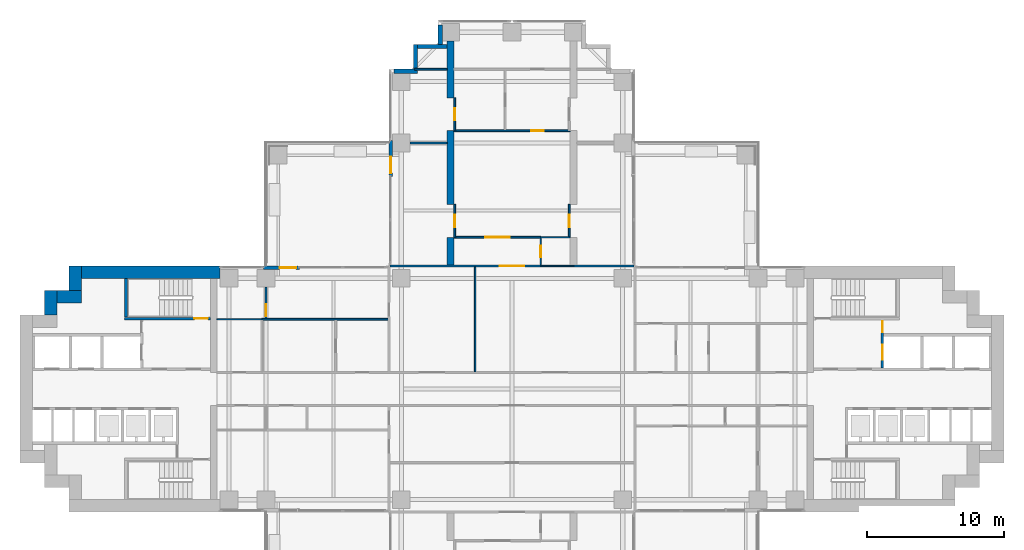
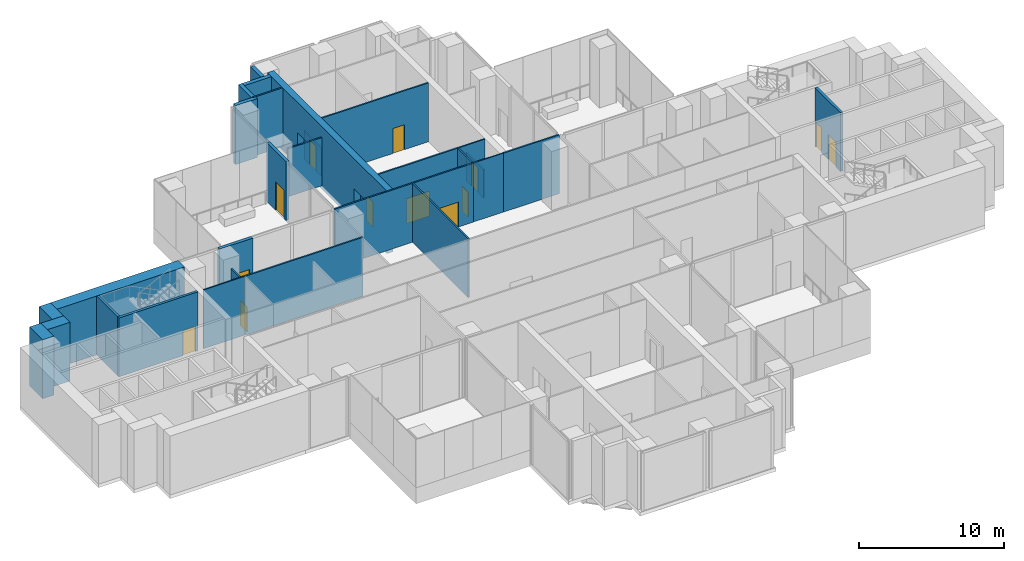
# One storey, part 10 of 17: 30 walls, 13 doors, 13 openings.
"""IFC4 building model written with IfcOpenShell, lengths in metres."""

from ifc_helpers import new_model, si_unit, direction, frame, frame_2d, origin, place, context, subcontext, project, spatial, polyline, rectangle, outline, extrude, material, layer, layer_set, material_profile, profile_set, type_object, element, fill, save


model = new_model("IFC4")

# Units and contexts
model_context = context("Model", 3, precision=1e-05, world=origin(), true_north=direction((0.0, 1.0)))
body_context = subcontext(model_context, "Body", "Model", "MODEL_VIEW")
ifc_project = project(units=[si_unit("LENGTHUNIT", "METRE"), si_unit("AREAUNIT", "SQUARE_METRE"), si_unit("VOLUMEUNIT", "CUBIC_METRE"), si_unit("PLANEANGLEUNIT", "RADIAN"), si_unit("MASSUNIT", "GRAM", prefix="KILO")], contexts=[model_context])

# Site, building, storey
site_placement = place(None, origin())
site = spatial("IfcSite", under=ifc_project, at=site_placement, CompositionType="ELEMENT")
building_placement = place(site_placement, origin())
building = spatial("IfcBuilding", under=site, at=building_placement, Name="Perihelion Cross Residences", CompositionType="ELEMENT")
storey_placement = place(building_placement, frame((0.0, 0.0, 92.5)))
storey = spatial("IfcBuildingStorey", under=building, at=storey_placement, Name="L21", CompositionType="ELEMENT", Elevation=92.5)

# Wall, opening, door
ifc_material_1 = material(Name="Concrete C30/37, bronze-clad", Category="concrete")
ifc_layer_1 = layer(ifc_material_1, 0.25)
ifc_layer_set_1 = layer_set([ifc_layer_1], Name="Bronze-clad pier wall 250")
wall_type_1 = type_object("IfcWallType", Name="Bronze-clad pier wall 250", PredefinedType="SOLIDWALL", material=ifc_layer_set_1)
wall_1_placement = place(storey_placement, frame((-8.875, 18.199951171875, 0.0), z_axis=(0.0, 0.0, 1.0), x_axis=(0.0, -1.0, 0.0)))
wall_1 = element("IfcWall", 1, at=wall_1_placement, inside=storey, type_object=wall_type_1, Name="Wall FW1 L21 north side west bay 2 pier", PredefinedType="SOLIDWALL", context=body_context, shape_type="SweptSolid", body=[
    extrude(rectangle(XDim=2.64990234375, YDim=0.25, at=frame_2d((1.324951171875, 0.0))), origin(), (0.0, 0.0, 1.0), 4.949951171875),
])
opening_1_placement = place(wall_1_placement, frame((1.199951171875, 0.0, 0.0)))
opening_1 = element("IfcOpeningElement", 2, at=opening_1_placement, cuts=wall_1, Name="Opening L21.E03", PredefinedType="OPENING", context=body_context, shape_type="SweptSolid", body=[
    extrude(rectangle(XDim=1.199951171875, YDim=2.39990234375, at=frame_2d((0.60009765625, 1.199951171875))), frame((0.0, 0.135009765625, 0.0), z_axis=(0.0, -1.0, 0.0), x_axis=(1.0, 0.0, 0.0)), (0.0, 0.0, 1.0), 0.27001953125),
])
ifc_material_2 = material(Name="Bronze anodised aluminium, glazed", Category="aluminium")
door_type_1 = type_object("IfcDoorType", Name="Balcony door 1200 x 2400", OperationType="NOTDEFINED", PredefinedType="DOOR", material=ifc_material_2)
door_1_placement = place(opening_1_placement, origin())
door_1 = element("IfcDoor", 3, at=door_1_placement, inside=storey, type_object=door_type_1, Name="Door L21.E03 north side west bay 2", OperationType="SINGLE_SWING_RIGHT", OverallHeight=2.39990234375, OverallWidth=1.199951171875, PredefinedType="DOOR", context=body_context, shape_type="SweptSolid", body=[
    extrude(rectangle(XDim=1.199951171875, YDim=2.39990234375, at=frame_2d((0.60009765625, 1.199951171875))), frame((0.0, 0.02490234375, 0.0), z_axis=(0.0, -1.0, 0.0), x_axis=(1.0, 0.0, 0.0)), (0.0, 0.0, 1.0), 0.050048828125),
])
fill(opening_1, door_1)

wall_2_placement = place(storey_placement, frame((-15.550048828125, 8.875, 0.0), z_axis=(0.0, 0.0, 1.0), x_axis=(-1.0, 0.0, 0.0)))
wall_2 = element("IfcWall", 4, at=wall_2_placement, inside=storey, type_object=wall_type_1, Name="Wall FW1 L21 west side north bay 1 pier", PredefinedType="SOLIDWALL", context=body_context, shape_type="SweptSolid", body=[
    extrude(rectangle(XDim=2.64990234375, YDim=0.25, at=frame_2d((1.324951171875, 0.0))), origin(), (0.0, 0.0, 1.0), 4.949951171875),
])
opening_2_placement = place(wall_2_placement, frame((0.25, 0.0, 0.0)))
opening_2 = element("IfcOpeningElement", 5, at=opening_2_placement, cuts=wall_2, Name="Opening L21.E04", PredefinedType="OPENING", context=body_context, shape_type="SweptSolid", body=[
    extrude(rectangle(XDim=1.199951171875, YDim=2.39990234375, at=frame_2d((0.60009765625, 1.199951171875))), frame((0.0, 0.135009765625, 0.0), z_axis=(0.0, -1.0, 0.0), x_axis=(1.0, 0.0, 0.0)), (0.0, 0.0, 1.0), 0.27001953125),
])
door_2_placement = place(opening_2_placement, origin())
door_2 = element("IfcDoor", 6, at=door_2_placement, inside=storey, type_object=door_type_1, Name="Door L21.E04 west side north bay 1", OperationType="SINGLE_SWING_LEFT", OverallHeight=2.39990234375, OverallWidth=1.199951171875, PredefinedType="DOOR", context=body_context, shape_type="SweptSolid", body=[
    extrude(rectangle(XDim=1.199951171875, YDim=2.39990234375, at=frame_2d((0.60009765625, 1.199951171875))), frame((0.0, 0.02490234375, 0.0), z_axis=(0.0, -1.0, 0.0), x_axis=(1.0, 0.0, 0.0)), (0.0, 0.0, 1.0), 0.050048828125),
])
fill(opening_2, door_2)

# Walls
ifc_material_3 = material(Name="Concrete C30/37, bronze-clad", Category="concrete")
ifc_layer_2 = layer(ifc_material_3, 0.300048828125)
ifc_layer_set_2 = layer_set([ifc_layer_2], Name="Bronze-clad serration wall 300")
wall_type_2 = type_object("IfcWallType", Name="Bronze-clad serration wall 300", PredefinedType="SOLIDWALL", material=ifc_layer_set_2)
wall_3_placement = place(storey_placement, frame((-5.25, 26.64990234375, 0.0), z_axis=(0.0, 0.0, 1.0), x_axis=(0.0, -1.0, 0.0)))
element("IfcWall", 7, at=wall_3_placement, inside=storey, type_object=wall_type_2, Name="Wall SR1 L21 north corner north-west 1", PredefinedType="SOLIDWALL", context=body_context, shape_type="SweptSolid", body=[
    extrude(rectangle(XDim=1.449951171875, YDim=0.300048828125, at=frame_2d((0.72509765625, 0.0))), origin(), (0.0, 0.0, 1.0), 4.949951171875),
])
wall_4_placement = place(storey_placement, frame((-4.75, 25.050048828125, 0.0), z_axis=(0.0, 0.0, 1.0), x_axis=(-1.0, 0.0, 0.0)))
element("IfcWall", 8, at=wall_4_placement, inside=storey, type_object=wall_type_2, Name="Wall SR1 L21 north corner north-west 2", PredefinedType="SOLIDWALL", context=body_context, shape_type="SweptSolid", body=[
    extrude(rectangle(XDim=2.14990234375, YDim=0.300048828125, at=frame_2d((1.074951171875, 0.0))), origin(), (0.0, 0.0, 1.0), 4.949951171875),
])
wall_5_placement = place(storey_placement, frame((-7.050048828125, 25.199951171875, 0.0), z_axis=(0.0, 0.0, 1.0), x_axis=(0.0, -1.0, 0.0)))
element("IfcWall", 9, at=wall_5_placement, inside=storey, type_object=wall_type_2, Name="Wall SR1 L21 north corner north-west 3", PredefinedType="SOLIDWALL", context=body_context, shape_type="SweptSolid", body=[
    extrude(rectangle(XDim=1.800048828125, YDim=0.300048828125, at=frame_2d((0.89990234375, 0.0))), origin(), (0.0, 0.0, 1.0), 4.949951171875),
])
wall_6_placement = place(storey_placement, frame((-6.89990234375, 23.25, 0.0), z_axis=(0.0, 0.0, 1.0), x_axis=(-1.0, 0.0, 0.0)))
element("IfcWall", 10, at=wall_6_placement, inside=storey, type_object=wall_type_2, Name="Wall SR1 L21 north corner north-west 4", PredefinedType="SOLIDWALL", context=body_context, shape_type="SweptSolid", body=[
    extrude(rectangle(XDim=1.75, YDim=0.300048828125, at=frame_2d((0.875, 0.0))), origin(), (0.0, 0.0, 1.0), 4.949951171875),
])
ifc_material_4 = material(Name="Concrete C60/75", Category="concrete")
ifc_layer_3 = layer(ifc_material_4, 0.89990234375)
ifc_layer_set_3 = layer_set([ifc_layer_3], Name="Core wall, outer 900")
wall_type_3 = type_object("IfcWallType", Name="Core wall, outer 900", PredefinedType="SHEAR", material=ifc_layer_set_3)
for number, where, z_axis, x_axis, name in (
    (11, (-33.75, 5.39990234375, 0.0), (0.0, 0.0, 1.0), (0.0, 1.0, 0.0), "West core core wall, outer"),
    (12, (-33.300048828125, 6.75, 0.0), (0.0, 0.0, 1.0), (1.0, 0.0, 0.0), "West core core wall, outer"),
    (13, (-31.949951171875, 7.199951171875, 0.0), (0.0, 0.0, 1.0), (0.0, 1.0, 0.0), "West core core wall, outer"),
):
    element("IfcWall", number, at=place(storey_placement, frame(where, z_axis=z_axis, x_axis=x_axis)), inside=storey, type_object=wall_type_3, Name=name, PredefinedType="SHEAR", context=body_context, shape_type="SweptSolid", body=[
        extrude(rectangle(XDim=1.800048828125, YDim=0.89990234375, at=frame_2d((0.89990234375, 0.0))), origin(), (0.0, 0.0, 1.0), 4.949951171875),
    ])
wall_7_placement = place(storey_placement, frame((-31.5, 8.550048828125, 0.0), z_axis=(0.0, 0.0, 1.0), x_axis=(1.0, 0.0, 0.0)))
element("IfcWall", 14, at=wall_7_placement, inside=storey, type_object=wall_type_3, Name="West core core wall, outer", PredefinedType="SHEAR", context=body_context, shape_type="SweptSolid", body=[
    extrude(rectangle(XDim=10.14990234375, YDim=0.89990234375, at=frame_2d((5.074951171875, 0.0))), origin(), (0.0, 0.0, 1.0), 4.949951171875),
])

# Wall, opening, door
ifc_material_5 = material(Name="Plasterboard partition")
ifc_layer_4 = layer(ifc_material_5, 0.1201171875)
ifc_layer_set_4 = layer_set([ifc_layer_4], Name="Infill panel 120")
wall_type_4 = type_object("IfcWallType", Name="Infill panel 120", PredefinedType="PARTITIONING", material=ifc_layer_set_4)
wall_8_placement = place(storey_placement, frame((4.18994140625, 11.10009765625, 0.0), z_axis=(0.0, 0.0, 1.0), x_axis=(0.0, 1.0, 0.0)))
wall_8 = element("IfcWall", 15, at=wall_8_placement, inside=storey, type_object=wall_type_4, Name="Partition L21 WI01", PredefinedType="PARTITIONING", context=body_context, shape_type="SweptSolid", body=[
    extrude(rectangle(XDim=2.39990234375, YDim=0.1201171875, at=frame_2d((1.199951171875, 0.0))), origin(), (0.0, 0.0, 1.0), 2.39990234375),
])
opening_3_placement = place(wall_8_placement, frame((0.75, 0.0, 0.0)))
opening_3 = element("IfcOpeningElement", 16, at=opening_3_placement, cuts=wall_8, Name="Opening L21.A36", PredefinedType="OPENING", context=body_context, shape_type="SweptSolid", body=[
    extrude(rectangle(XDim=0.89990234375, YDim=2.10009765625, at=frame_2d((0.449951171875, 1.050048828125))), frame((0.0, 0.070068359375, 0.0), z_axis=(0.0, -1.0, 0.0), x_axis=(1.0, 0.0, 0.0)), (0.0, 0.0, 1.0), 0.14013671875),
])
ifc_material_6 = material(Name="Timber door leaf", Category="wood")
door_type_2 = type_object("IfcDoorType", Name="Interior room door 900 x 2100", OperationType="SINGLE_SWING_LEFT", PredefinedType="DOOR", material=ifc_material_6)
door_3_placement = place(opening_3_placement, origin())
door_3 = element("IfcDoor", 17, at=door_3_placement, inside=storey, type_object=door_type_2, Name="Door L21.A36", OperationType="SINGLE_SWING_RIGHT", OverallHeight=2.10009765625, OverallWidth=0.89990234375, PredefinedType="DOOR", context=body_context, shape_type="SweptSolid", body=[
    extrude(rectangle(XDim=0.89990234375, YDim=2.10009765625, at=frame_2d((0.449951171875, 1.050048828125))), frame((0.0, 0.02490234375, 0.0), z_axis=(0.0, -1.0, 0.0), x_axis=(1.0, 0.0, 0.0)), (0.0, 0.0, 1.0), 0.050048828125),
])
fill(opening_3, door_3)

wall_9_placement = place(storey_placement, frame((-4.18994140625, 11.10009765625, 0.0), z_axis=(0.0, 0.0, 1.0), x_axis=(0.0, 1.0, 0.0)))
wall_9 = element("IfcWall", 18, at=wall_9_placement, inside=storey, type_object=wall_type_4, Name="Partition L21 WI03", PredefinedType="PARTITIONING", context=body_context, shape_type="SweptSolid", body=[
    extrude(rectangle(XDim=2.39990234375, YDim=0.1201171875, at=frame_2d((1.199951171875, 0.0))), origin(), (0.0, 0.0, 1.0), 2.39990234375),
])
opening_4_placement = place(wall_9_placement, frame((0.75, 0.0, 0.0)))
opening_4 = element("IfcOpeningElement", 19, at=opening_4_placement, cuts=wall_9, Name="Opening L21.A38", PredefinedType="OPENING", context=body_context, shape_type="SweptSolid", body=[
    extrude(rectangle(XDim=0.89990234375, YDim=2.10009765625, at=frame_2d((0.449951171875, 1.050048828125))), frame((0.0, 0.070068359375, 0.0), z_axis=(0.0, -1.0, 0.0), x_axis=(1.0, 0.0, 0.0)), (0.0, 0.0, 1.0), 0.14013671875),
])
door_4_placement = place(opening_4_placement, origin())
door_4 = element("IfcDoor", 20, at=door_4_placement, inside=storey, type_object=door_type_2, Name="Door L21.A38", OperationType="SINGLE_SWING_LEFT", OverallHeight=2.10009765625, OverallWidth=0.89990234375, PredefinedType="DOOR", context=body_context, shape_type="SweptSolid", body=[
    extrude(rectangle(XDim=0.89990234375, YDim=2.10009765625, at=frame_2d((0.449951171875, 1.050048828125))), frame((0.0, 0.02490234375, 0.0), z_axis=(0.0, -1.0, 0.0), x_axis=(1.0, 0.0, 0.0)), (0.0, 0.0, 1.0), 0.050048828125),
])
fill(opening_4, door_4)

wall_10_placement = place(storey_placement, frame((-4.18994140625, 18.89990234375, 0.0), z_axis=(0.0, 0.0, 1.0), x_axis=(0.0, 1.0, 0.0)))
wall_10 = element("IfcWall", 21, at=wall_10_placement, inside=storey, type_object=wall_type_4, Name="Partition L21 WI04", PredefinedType="PARTITIONING", context=body_context, shape_type="SweptSolid", body=[
    extrude(rectangle(XDim=2.400146484375, YDim=0.1201171875, at=frame_2d((1.2001953125, 0.0))), origin(), (0.0, 0.0, 1.0), 2.39990234375),
])
opening_5_placement = place(wall_10_placement, frame((0.75, 0.0, 0.0)))
opening_5 = element("IfcOpeningElement", 22, at=opening_5_placement, cuts=wall_10, Name="Opening L21.A39", PredefinedType="OPENING", context=body_context, shape_type="SweptSolid", body=[
    extrude(rectangle(XDim=0.89990234375, YDim=2.10009765625, at=frame_2d((0.449951171875, 1.050048828125))), frame((0.0, 0.070068359375, 0.0), z_axis=(0.0, -1.0, 0.0), x_axis=(1.0, 0.0, 0.0)), (0.0, 0.0, 1.0), 0.14013671875),
])
door_5_placement = place(opening_5_placement, origin())
door_5 = element("IfcDoor", 23, at=door_5_placement, inside=storey, type_object=door_type_2, Name="Door L21.A39", OperationType="SINGLE_SWING_RIGHT", OverallHeight=2.10009765625, OverallWidth=0.89990234375, PredefinedType="DOOR", context=body_context, shape_type="SweptSolid", body=[
    extrude(rectangle(XDim=0.89990234375, YDim=2.10009765625, at=frame_2d((0.449951171875, 1.050048828125))), frame((0.0, 0.02490234375, 0.0), z_axis=(0.0, -1.0, 0.0), x_axis=(1.0, 0.0, 0.0)), (0.0, 0.0, 1.0), 0.050048828125),
])
fill(opening_5, door_5)

# Wall
ifc_material_7 = material(Name="Plasterboard partition")
ifc_layer_5 = layer(ifc_material_7, 0.1201171875)
ifc_layer_set_5 = layer_set([ifc_layer_5], Name="Partition wall 120")
wall_type_5 = type_object("IfcWallType", Name="Partition wall 120", PredefinedType="PARTITIONING", material=ifc_layer_set_5)
wall_11_placement = place(storey_placement, frame((-2.699951171875, 8.93994140625, 0.0), z_axis=(0.0, 0.0, 1.0), x_axis=(0.0, -1.0, 0.0)))
element("IfcWall", 24, at=wall_11_placement, inside=storey, type_object=wall_type_5, Name="Partition L21 W007", PredefinedType="PARTITIONING", context=body_context, shape_type="SweptSolid", body=[
    extrude(rectangle(XDim=7.679931640625, YDim=0.1201171875, at=frame_2d((3.83984375, 0.0))), origin(), (0.0, 0.0, 1.0), 4.949951171875),
])

# Wall, opening, door
wall_12_placement = place(storey_placement, frame((-8.919921875, 9.0, 0.0), z_axis=(0.0, 0.0, 1.0), x_axis=(1.0, 0.0, 0.0)))
wall_12 = element("IfcWall", 25, at=wall_12_placement, inside=storey, type_object=wall_type_5, Name="Partition L21 W009", PredefinedType="PARTITIONING", context=body_context, shape_type="SweptSolid", body=[
    extrude(rectangle(XDim=11.02001953125, YDim=0.1201171875, at=frame_2d((5.510009765625, 0.0))), origin(), (0.0, 0.0, 1.0), 4.949951171875),
])
opening_6_placement = place(wall_12_placement, frame((8.02001953125, 0.0, 0.0)))
opening_6 = element("IfcOpeningElement", 26, at=opening_6_placement, cuts=wall_12, Name="Opening L21.A24", PredefinedType="OPENING", context=body_context, shape_type="SweptSolid", body=[
    extrude(rectangle(XDim=1.800048828125, YDim=2.10009765625, at=frame_2d((0.89990234375, 1.050048828125))), frame((0.0, 0.070068359375, 0.0), z_axis=(0.0, -1.0, 0.0), x_axis=(1.0, 0.0, 0.0)), (0.0, 0.0, 1.0), 0.14013671875),
])
ifc_material_8 = material(Name="Glazed timber door leaf", Category="wood")
door_type_3 = type_object("IfcDoorType", Name="Interior double leaf door 1800 x 2100", OperationType="DOUBLE_DOOR_SINGLE_SWING", PredefinedType="DOOR", material=ifc_material_8)
door_6_placement = place(opening_6_placement, origin())
door_6 = element("IfcDoor", 27, at=door_6_placement, inside=storey, type_object=door_type_3, Name="Door L21.A24", OperationType="SINGLE_SWING_LEFT", OverallHeight=2.10009765625, OverallWidth=1.800048828125, PredefinedType="DOOR", context=body_context, shape_type="SweptSolid", body=[
    extrude(rectangle(XDim=1.800048828125, YDim=2.10009765625, at=frame_2d((0.89990234375, 1.050048828125))), frame((0.0, 0.02490234375, 0.0), z_axis=(0.0, -1.0, 0.0), x_axis=(1.0, 0.0, 0.0)), (0.0, 0.0, 1.0), 0.050048828125),
])
fill(opening_6, door_6)

# Wall
wall_13_placement = place(storey_placement, frame((4.5, 9.0, 0.0), z_axis=(0.0, 0.0, 1.0), x_axis=(1.0, 0.0, 0.0)))
element("IfcWall", 28, at=wall_13_placement, inside=storey, type_object=wall_type_5, Name="Partition L21 W012", PredefinedType="PARTITIONING", context=body_context, shape_type="SweptSolid", body=[
    extrude(rectangle(XDim=4.419921875, YDim=0.1201171875, at=frame_2d((2.2099609375, 0.0))), origin(), (0.0, 0.0, 1.0), 4.949951171875),
])

# Wall, opening, door
wall_14_placement = place(storey_placement, frame((-18.0, 5.159912109375, 0.0), z_axis=(0.0, 0.0, 1.0), x_axis=(0.0, 1.0, 0.0)))
wall_14 = element("IfcWall", 29, at=wall_14_placement, inside=storey, type_object=wall_type_5, Name="Partition L21 W029", PredefinedType="PARTITIONING", context=body_context, shape_type="SweptSolid", body=[
    extrude(rectangle(XDim=2.2900390625, YDim=0.1201171875, at=frame_2d((1.14501953125, 0.0))), origin(), (0.0, 0.0, 1.0), 4.0458984375),
])
opening_7_placement = place(wall_14_placement, frame((0.14501953125, 0.0, 0.0)))
opening_7 = element("IfcOpeningElement", 30, at=opening_7_placement, cuts=wall_14, Name="Opening L21.A22", PredefinedType="OPENING", context=body_context, shape_type="SweptSolid", body=[
    extrude(rectangle(XDim=0.89990234375, YDim=2.10009765625, at=frame_2d((0.449951171875, 1.050048828125))), frame((0.0, 0.070068359375, 0.0), z_axis=(0.0, -1.0, 0.0), x_axis=(1.0, 0.0, 0.0)), (0.0, 0.0, 1.0), 0.14013671875),
])
door_7_placement = place(opening_7_placement, origin())
door_7 = element("IfcDoor", 31, at=door_7_placement, inside=storey, type_object=door_type_2, Name="Door L21.A22", OperationType="SINGLE_SWING_LEFT", OverallHeight=2.10009765625, OverallWidth=0.89990234375, PredefinedType="DOOR", context=body_context, shape_type="SweptSolid", body=[
    extrude(rectangle(XDim=0.89990234375, YDim=2.10009765625, at=frame_2d((0.449951171875, 1.050048828125))), frame((0.0, 0.02490234375, 0.0), z_axis=(0.0, -1.0, 0.0), x_axis=(1.0, 0.0, 0.0)), (0.0, 0.0, 1.0), 0.050048828125),
])
fill(opening_7, door_7)

# Wall
wall_15_placement = place(storey_placement, frame((-8.93994140625, 5.10009765625, 0.0), z_axis=(0.0, 0.0, 1.0), x_axis=(-1.0, 0.0, 0.0)))
element("IfcWall", 32, at=wall_15_placement, inside=storey, type_object=wall_type_5, Name="Partition L21 W030", PredefinedType="PARTITIONING", context=body_context, shape_type="SweptSolid", body=[
    extrude(rectangle(XDim=9.360107421875, YDim=0.1201171875, at=frame_2d((4.68017578125, 0.0))), origin(), (0.0, 0.0, 1.0), 4.949951171875),
])

# Wall, opening, door
wall_16_placement = place(storey_placement, frame((-4.25, 11.10009765625, 0.0), z_axis=(0.0, 0.0, 1.0), x_axis=(1.0, 0.0, 0.0)))
wall_16 = element("IfcWall", 33, at=wall_16_placement, inside=storey, type_object=wall_type_5, Name="Partition L21 W039", PredefinedType="PARTITIONING", context=body_context, shape_type="SweptSolid", body=[
    extrude(rectangle(XDim=6.35009765625, YDim=0.1201171875, at=frame_2d((3.175048828125, 0.0))), origin(), (0.0, 0.0, 1.0), 4.949951171875),
])
opening_8_placement = place(wall_16_placement, frame((2.27490234375, 0.0, 0.0)))
opening_8 = element("IfcOpeningElement", 34, at=opening_8_placement, cuts=wall_16, Name="Opening L21.A26", PredefinedType="OPENING", context=body_context, shape_type="SweptSolid", body=[
    extrude(rectangle(XDim=1.800048828125, YDim=2.10009765625, at=frame_2d((0.89990234375, 1.050048828125))), frame((0.0, 0.070068359375, 0.0), z_axis=(0.0, -1.0, 0.0), x_axis=(1.0, 0.0, 0.0)), (0.0, 0.0, 1.0), 0.14013671875),
])
door_8_placement = place(opening_8_placement, origin())
door_8 = element("IfcDoor", 35, at=door_8_placement, inside=storey, type_object=door_type_3, Name="Door L21.A26", OperationType="SINGLE_SWING_LEFT", OverallHeight=2.10009765625, OverallWidth=1.800048828125, PredefinedType="DOOR", context=body_context, shape_type="SweptSolid", body=[
    extrude(rectangle(XDim=1.800048828125, YDim=2.10009765625, at=frame_2d((0.89990234375, 1.050048828125))), frame((0.0, 0.02490234375, 0.0), z_axis=(0.0, -1.0, 0.0), x_axis=(1.0, 0.0, 0.0)), (0.0, 0.0, 1.0), 0.050048828125),
])
fill(opening_8, door_8)

wall_17_placement = place(storey_placement, frame((-4.25, 18.89990234375, 0.0), z_axis=(0.0, 0.0, 1.0), x_axis=(1.0, 0.0, 0.0)))
wall_17 = element("IfcWall", 36, at=wall_17_placement, inside=storey, type_object=wall_type_5, Name="Partition L21 W041", PredefinedType="PARTITIONING", context=body_context, shape_type="SweptSolid", body=[
    extrude(rectangle(XDim=8.5, YDim=0.1201171875, at=frame_2d((4.25, 0.0))), origin(), (0.0, 0.0, 1.0), 4.949951171875),
])
opening_9_placement = place(wall_17_placement, frame((5.675048828125, 0.0, 0.0)))
opening_9 = element("IfcOpeningElement", 37, at=opening_9_placement, cuts=wall_17, Name="Opening L21.A27", PredefinedType="OPENING", context=body_context, shape_type="SweptSolid", body=[
    extrude(rectangle(XDim=0.89990234375, YDim=2.10009765625, at=frame_2d((0.449951171875, 1.050048828125))), frame((0.0, 0.070068359375, 0.0), z_axis=(0.0, -1.0, 0.0), x_axis=(1.0, 0.0, 0.0)), (0.0, 0.0, 1.0), 0.14013671875),
])
door_9_placement = place(opening_9_placement, origin())
door_9 = element("IfcDoor", 38, at=door_9_placement, inside=storey, type_object=door_type_2, Name="Door L21.A27", OperationType="SINGLE_SWING_RIGHT", OverallHeight=2.10009765625, OverallWidth=0.89990234375, PredefinedType="DOOR", context=body_context, shape_type="SweptSolid", body=[
    extrude(rectangle(XDim=0.89990234375, YDim=2.10009765625, at=frame_2d((0.449951171875, 1.050048828125))), frame((0.0, 0.02490234375, 0.0), z_axis=(0.0, -1.0, 0.0), x_axis=(1.0, 0.0, 0.0)), (0.0, 0.0, 1.0), 0.050048828125),
])
fill(opening_9, door_9)

# Walls
wall_18_placement = place(storey_placement, frame((-7.449951171875, 18.0, 0.0), z_axis=(0.0, 0.0, 1.0), x_axis=(1.0, 0.0, 0.0)))
element("IfcWall", 39, at=wall_18_placement, inside=storey, type_object=wall_type_5, Name="Partition L21 W046", PredefinedType="PARTITIONING", context=body_context, shape_type="SweptSolid", body=[
    extrude(rectangle(XDim=2.699951171875, YDim=0.1201171875, at=frame_2d((1.35009765625, 0.0))), origin(), (0.0, 0.0, 1.0), 4.0458984375),
])
wall_19_placement = place(storey_placement, frame((-7.1201171875, 23.39990234375, 0.0), z_axis=(0.0, 0.0, 1.0), x_axis=(1.0, 0.0, 0.0)))
element("IfcWall", 40, at=wall_19_placement, inside=storey, type_object=wall_type_5, Name="Partition L21 W047", PredefinedType="PARTITIONING", context=body_context, shape_type="SweptSolid", body=[
    extrude(rectangle(XDim=2.3701171875, YDim=0.1201171875, at=frame_2d((1.18505859375, 0.0))), origin(), (0.0, 0.0, 1.0), 4.949951171875),
])

# Wall, openings, doors
ifc_material_9 = material(Name="Concrete C50/60", Category="concrete")
ifc_layer_6 = layer(ifc_material_9, 0.199951171875)
ifc_layer_set_6 = layer_set([ifc_layer_6], Name="Shaft wall 200")
wall_type_6 = type_object("IfcWallType", Name="Shaft wall 200", PredefinedType="SOLIDWALL", material=ifc_layer_set_6)
wall_20_placement = place(storey_placement, frame((27.10009765625, 1.550048828125, 0.0), z_axis=(0.0, 0.0, 1.0), x_axis=(0.0, 1.0, 0.0)))
wall_20 = element("IfcWall", 41, at=wall_20_placement, inside=storey, type_object=wall_type_6, Name="East core shaft wall", PredefinedType="SOLIDWALL", context=body_context, shape_type="SweptSolid", body=[
    extrude(rectangle(XDim=3.5, YDim=0.199951171875, at=frame_2d((1.75, 0.0))), origin(), (0.0, 0.0, 1.0), 4.949951171875),
])
opening_10_placement = place(wall_20_placement, frame((0.60009765625, 0.0, 0.0)))
opening_10 = element("IfcOpeningElement", 42, at=opening_10_placement, cuts=wall_20, Name="Opening L21.C02", PredefinedType="OPENING", context=body_context, shape_type="SweptSolid", body=[
    extrude(rectangle(XDim=1.10009765625, YDim=2.10009765625, at=frame_2d((0.550048828125, 1.050048828125))), frame((0.0, 0.10986328125, 0.0), z_axis=(0.0, -1.0, 0.0), x_axis=(1.0, 0.0, 0.0)), (0.0, 0.0, 1.0), 0.219970703125),
])
opening_11_placement = place(wall_20_placement, frame((2.60009765625, 0.0, 0.0)))
opening_11 = element("IfcOpeningElement", 43, at=opening_11_placement, cuts=wall_20, Name="Opening L21.C15", PredefinedType="OPENING", context=body_context, shape_type="SweptSolid", body=[
    extrude(rectangle(XDim=0.800048828125, YDim=2.10009765625, at=frame_2d((0.39990234375, 1.050048828125))), frame((0.0, 0.10986328125, 0.0), z_axis=(0.0, -1.0, 0.0), x_axis=(1.0, 0.0, 0.0)), (0.0, 0.0, 1.0), 0.219970703125),
])
ifc_material_10 = material(Name="Stainless steel", Category="steel")
door_type_4 = type_object("IfcDoorType", Name="Landing door, firefighting lift 1100", OperationType="DOUBLE_DOOR_SLIDING", PredefinedType="DOOR", material=ifc_material_10)
door_10_placement = place(opening_10_placement, origin())
door_10 = element("IfcDoor", 44, at=door_10_placement, inside=storey, type_object=door_type_4, Name="Landing door, East core firefighting and service lift", OperationType="DOUBLE_DOOR_SLIDING", OverallHeight=2.10009765625, OverallWidth=1.10009765625, PredefinedType="DOOR", context=body_context, shape_type="SweptSolid", body=[
    extrude(rectangle(XDim=1.10009765625, YDim=2.10009765625, at=frame_2d((0.550048828125, 1.050048828125))), frame((0.0, 0.02490234375, 0.0), z_axis=(0.0, -1.0, 0.0), x_axis=(1.0, 0.0, 0.0)), (0.0, 0.0, 1.0), 0.050048828125),
])
fill(opening_10, door_10)
ifc_material_11 = material(Name="Steel, powder coated", Category="steel")
door_type_5 = type_object("IfcDoorType", Name="Riser door 800", OperationType="SINGLE_SWING_LEFT", PredefinedType="DOOR", material=ifc_material_11)
door_11_placement = place(opening_11_placement, origin())
door_11 = element("IfcDoor", 45, at=door_11_placement, inside=storey, type_object=door_type_5, Name="East core riser door", OperationType="SINGLE_SWING_LEFT", OverallHeight=2.10009765625, OverallWidth=0.800048828125, PredefinedType="DOOR", context=body_context, shape_type="SweptSolid", body=[
    extrude(rectangle(XDim=0.800048828125, YDim=2.10009765625, at=frame_2d((0.39990234375, 1.050048828125))), frame((0.0, 0.02490234375, 0.0), z_axis=(0.0, -1.0, 0.0), x_axis=(1.0, 0.0, 0.0)), (0.0, 0.0, 1.0), 0.050048828125),
])
fill(opening_11, door_11)

# Wall, opening, door
ifc_material_12 = material(Name="Concrete C50/60", Category="concrete")
ifc_layer_7 = layer(ifc_material_12, 0.199951171875)
ifc_layer_set_7 = layer_set([ifc_layer_7], Name="Stair wall 200")
wall_type_7 = type_object("IfcWallType", Name="Stair wall 200", PredefinedType="SOLIDWALL", material=ifc_layer_set_7)
wall_21_placement = place(storey_placement, frame((-28.35009765625, 5.14990234375, 0.0), z_axis=(0.0, 0.0, 1.0), x_axis=(1.0, 0.0, 0.0)))
wall_21 = element("IfcWall", 46, at=wall_21_placement, inside=storey, type_object=wall_type_7, Name="West core stair wall", PredefinedType="SOLIDWALL", context=body_context, shape_type="SweptSolid", body=[
    extrude(rectangle(XDim=6.300048828125, YDim=0.199951171875, at=frame_2d((3.14990234375, 0.0))), origin(), (0.0, 0.0, 1.0), 4.949951171875),
])
opening_12_placement = place(wall_21_placement, frame((5.10009765625, 0.0, 0.0)))
opening_12 = element("IfcOpeningElement", 47, at=opening_12_placement, cuts=wall_21, Name="Opening L21.C26", PredefinedType="OPENING", context=body_context, shape_type="SweptSolid", body=[
    extrude(rectangle(XDim=1.0, YDim=2.10009765625, at=frame_2d((0.5, 1.050048828125))), frame((0.0, 0.10986328125, 0.0), z_axis=(0.0, -1.0, 0.0), x_axis=(1.0, 0.0, 0.0)), (0.0, 0.0, 1.0), 0.219970703125),
])
ifc_material_13 = material(Name="Steel, powder coated", Category="steel")
door_type_6 = type_object("IfcDoorType", Name="Stair door 1000", OperationType="SINGLE_SWING_LEFT", PredefinedType="DOOR", material=ifc_material_13)
door_12_placement = place(opening_12_placement, origin())
door_12 = element("IfcDoor", 48, at=door_12_placement, inside=storey, type_object=door_type_6, Name="West core stair door", OperationType="SINGLE_SWING_LEFT", OverallHeight=2.10009765625, OverallWidth=1.0, PredefinedType="DOOR", context=body_context, shape_type="SweptSolid", body=[
    extrude(rectangle(XDim=1.0, YDim=2.10009765625, at=frame_2d((0.5, 1.050048828125))), frame((0.0, 0.02490234375, 0.0), z_axis=(0.0, -1.0, 0.0), x_axis=(1.0, 0.0, 0.0)), (0.0, 0.0, 1.0), 0.050048828125),
])
fill(opening_12, door_12)

# Walls
wall_22_placement = place(storey_placement, frame((-28.25, 5.25, 0.0), z_axis=(0.0, 0.0, 1.0), x_axis=(0.0, 1.0, 0.0)))
element("IfcWall", 49, at=wall_22_placement, inside=storey, type_object=wall_type_7, Name="West core stair wall", PredefinedType="SOLIDWALL", context=body_context, shape_type="SweptSolid", body=[
    extrude(rectangle(XDim=2.85009765625, YDim=0.199951171875, at=frame_2d((1.425048828125, 0.0))), origin(), (0.0, 0.0, 1.0), 4.949951171875),
])
ifc_material_14 = material(Name="Concrete C60/75", Category="concrete")
ifc_material_profile = material_profile(ifc_material_14, outline(polyline([(0.0, 0.0), (2.10009765625, 0.0), (2.10009765625, 2.699951171875), (4.5, 2.699951171875), (4.5, 0.0), (9.89990234375, 0.0), (9.89990234375, 2.699951171875), (12.300048828125, 2.699951171875), (12.300048828125, 0.0), (16.449951171875, 0.0), (16.449951171875, 5.25), (0.0, 5.25), (0.0, 0.0)])), Name="Tip spine wall")
ifc_profile_set = profile_set([ifc_material_profile], Name="Concrete C60/75")
wall_type_8 = type_object("IfcWallType", Name="Tip spine wall 500 with 2 door openings 16450 long 5250 high concrete C60/75 hand B", PredefinedType="SHEAR", material=ifc_profile_set)
wall_23_placement = place(storey_placement, frame((-4.75, 9.0, -0.300048828125), z_axis=(1.0, 0.0, 0.0), x_axis=(0.0, 1.0, 0.0)))
element("IfcWall", 50, at=wall_23_placement, inside=storey, type_object=wall_type_8, Name="Shear wall SW29 L21 north west", PredefinedType="SHEAR", context=body_context, shape_type="SweptSolid", body=[
    extrude(outline(polyline([(0.0, 0.0), (2.10009765625, 0.0), (2.10009765625, 2.699951171875), (4.5, 2.699951171875), (4.5, 0.0), (9.89990234375, 0.0), (9.89990234375, 2.699951171875), (12.300048828125, 2.699951171875), (12.300048828125, 0.0), (16.449951171875, 0.0), (16.449951171875, 5.25), (0.0, 5.25), (0.0, 0.0)])), origin(), (0.0, 0.0, 1.0), 0.5),
])
ifc_material_15 = material(Name="Plasterboard partition")
ifc_layer_8 = layer(ifc_material_15, 0.10009765625)
ifc_layer_set_8 = layer_set([ifc_layer_8], Name="Wet room wall 100")
wall_type_9 = type_object("IfcWallType", Name="Wet room wall 100", PredefinedType="PARTITIONING", material=ifc_layer_set_8)
wall_24_placement = place(storey_placement, frame((2.10009765625, 9.0, 0.0), z_axis=(0.0, 0.0, 1.0), x_axis=(1.0, 0.0, 0.0)))
element("IfcWall", 51, at=wall_24_placement, inside=storey, type_object=wall_type_9, Name="Partition L21 W011", PredefinedType="PARTITIONING", context=body_context, shape_type="SweptSolid", body=[
    extrude(rectangle(XDim=2.39990234375, YDim=0.10009765625, at=frame_2d((1.199951171875, 0.0))), origin(), (0.0, 0.0, 1.0), 4.949951171875),
])
wall_25_placement = place(storey_placement, frame((-18.300048828125, 5.10009765625, 0.0), z_axis=(0.0, 0.0, 1.0), x_axis=(-1.0, 0.0, 0.0)))
element("IfcWall", 52, at=wall_25_placement, inside=storey, type_object=wall_type_9, Name="Partition L21 W031", PredefinedType="PARTITIONING", context=body_context, shape_type="SweptSolid", body=[
    extrude(rectangle(XDim=3.300048828125, YDim=0.10009765625, at=frame_2d((1.64990234375, 0.0))), origin(), (0.0, 0.0, 1.0), 4.949951171875),
])

# Wall, opening, door
wall_26_placement = place(storey_placement, frame((2.10009765625, 11.0400390625, 0.0), z_axis=(0.0, 0.0, 1.0), x_axis=(0.0, -1.0, 0.0)))
wall_26 = element("IfcWall", 53, at=wall_26_placement, inside=storey, type_object=wall_type_9, Name="Partition L21 W038", PredefinedType="PARTITIONING", context=body_context, shape_type="SweptSolid", body=[
    extrude(rectangle(XDim=1.97998046875, YDim=0.10009765625, at=frame_2d((0.989990234375, 0.0))), origin(), (0.0, 0.0, 1.0), 4.949951171875),
])
opening_13_placement = place(wall_26_placement, frame((0.56494140625, 0.0, 0.0)))
opening_13 = element("IfcOpeningElement", 54, at=opening_13_placement, cuts=wall_26, Name="Opening L21.A25", PredefinedType="OPENING", context=body_context, shape_type="SweptSolid", body=[
    extrude(rectangle(XDim=0.85009765625, YDim=2.10009765625, at=frame_2d((0.425048828125, 1.050048828125))), frame((0.0, 0.06005859375, 0.0), z_axis=(0.0, -1.0, 0.0), x_axis=(1.0, 0.0, 0.0)), (0.0, 0.0, 1.0), 0.1201171875),
])
ifc_material_16 = material(Name="Timber door leaf", Category="wood")
door_type_7 = type_object("IfcDoorType", Name="Interior bathroom door 850 x 2100", OperationType="SINGLE_SWING_LEFT", PredefinedType="DOOR", material=ifc_material_16)
door_13_placement = place(opening_13_placement, origin())
door_13 = element("IfcDoor", 55, at=door_13_placement, inside=storey, type_object=door_type_7, Name="Door L21.A25", OperationType="SINGLE_SWING_LEFT", OverallHeight=2.10009765625, OverallWidth=0.85009765625, PredefinedType="DOOR", context=body_context, shape_type="SweptSolid", body=[
    extrude(rectangle(XDim=0.85009765625, YDim=2.10009765625, at=frame_2d((0.425048828125, 1.050048828125))), frame((0.0, 0.02490234375, 0.0), z_axis=(0.0, -1.0, 0.0), x_axis=(1.0, 0.0, 0.0)), (0.0, 0.0, 1.0), 0.050048828125),
])
fill(opening_13, door_13)

# Wall
wall_27_placement = place(storey_placement, frame((2.10009765625, 11.10009765625, 0.0), z_axis=(0.0, 0.0, 1.0), x_axis=(1.0, 0.0, 0.0)))
element("IfcWall", 56, at=wall_27_placement, inside=storey, type_object=wall_type_9, Name="Partition L21 W040", PredefinedType="PARTITIONING", context=body_context, shape_type="SweptSolid", body=[
    extrude(rectangle(XDim=2.14990234375, YDim=0.10009765625, at=frame_2d((1.074951171875, 0.0))), origin(), (0.0, 0.0, 1.0), 4.949951171875),
])

save(model, "model.ifc")
